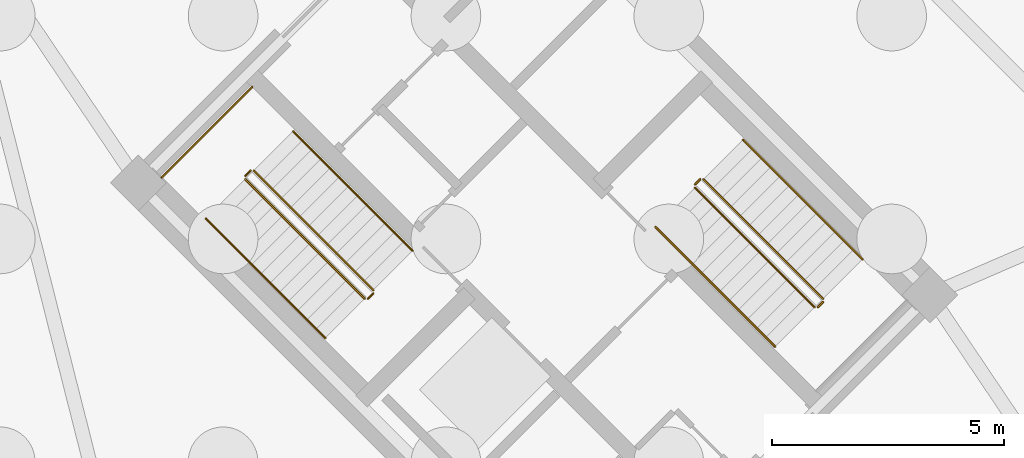
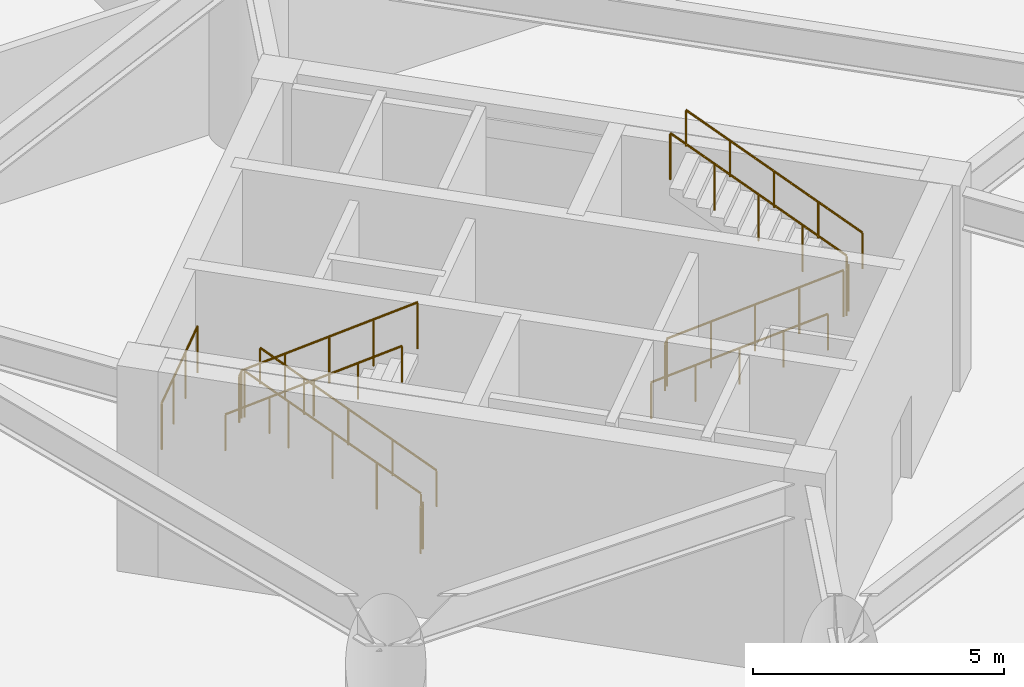
# One storey, part 12 of 15: 13 railings.
"""IFC4 building model written with IfcOpenShell, lengths in metres."""

from ifc_helpers import new_model, si_unit, direction, frame, origin, origin_2d, place, context, subcontext, project, spatial, circle, extrude, material, type_object, element, save


model = new_model("IFC4")

# Units and contexts
model_context = context("Model", 3, precision=1e-05, world=origin(), true_north=direction((0.0, 1.0)))
body_context = subcontext(model_context, "Body", "Model", "MODEL_VIEW")
ifc_project = project(units=[si_unit("LENGTHUNIT", "METRE"), si_unit("AREAUNIT", "SQUARE_METRE"), si_unit("VOLUMEUNIT", "CUBIC_METRE"), si_unit("PLANEANGLEUNIT", "RADIAN"), si_unit("MASSUNIT", "GRAM", prefix="KILO")], contexts=[model_context])

# Site, building, storey
site_placement = place(None, origin())
site = spatial("IfcSite", under=ifc_project, at=site_placement, CompositionType="ELEMENT")
building_placement = place(site_placement, origin())
building = spatial("IfcBuilding", under=site, at=building_placement, Name="Cununo Teusaquillo Station Towers", CompositionType="ELEMENT")
storey_placement = place(building_placement, frame((0.0, 0.0, -10.0)))
storey = spatial("IfcBuildingStorey", under=building, at=storey_placement, Name="B02", CompositionType="ELEMENT", Elevation=-10.0)

# Railings
ifc_material_1 = material(Name="Steel EN 10025-2 S355J2", Category="steel")
railing_type_1 = type_object("IfcRailingType", Name="RL-INT-GUARD", PredefinedType="GUARDRAIL", material=ifc_material_1)
railing_1_placement = place(storey_placement, frame((54.03515625, 23.39697265625, 0.178466796875)))
element("IfcRailing", 1, at=railing_1_placement, inside=storey, type_object=railing_type_1, Name="B02 ST-T2-1 stair guard 1", PredefinedType="GUARDRAIL", context=body_context, shape_type="SweptSolid", body=[
    extrude(circle(Radius=0.02392578125, at=origin_2d()), frame((0.0, 0.0, 1.1259765625), z_axis=(-0.596165694574, 0.596165694574, 0.537748016478), x_axis=(-0.707106781187, -0.707106781187, 0.0)), (0.0, 0.0, 1.0), 4.317138671875),
    extrude(circle(Radius=0.02099609375, at=origin_2d()), origin(), (0.0, 0.0, 1.0), 1.101806640625),
    extrude(circle(Radius=0.02099609375, at=origin_2d()), frame((-0.6435546875, 0.6435546875, 0.580322265625)), (0.0, 0.0, 1.0), 1.101806640625),
    extrude(circle(Radius=0.02099609375, at=origin_2d()), frame((-1.286865234375, 1.286865234375, 1.16064453125)), (0.0, 0.0, 1.0), 1.101806640625),
    extrude(circle(Radius=0.02099609375, at=origin_2d()), frame((-1.93017578125, 1.93017578125, 1.7412109375)), (0.0, 0.0, 1.0), 1.101806640625),
    extrude(circle(Radius=0.02099609375, at=origin_2d()), frame((-2.57373046875, 2.57373046875, 2.321533203125)), (0.0, 0.0, 1.0), 1.101806640625),
])
railing_2_placement = place(storey_placement, frame((51.390625, 25.970703125, 2.5)))
element("IfcRailing", 2, at=railing_2_placement, inside=storey, type_object=railing_type_1, Name="B02 ST-T2-1 stair guard 2", PredefinedType="GUARDRAIL", context=body_context, shape_type="SweptSolid", body=[
    extrude(circle(Radius=0.02392578125, at=origin_2d()), frame((0.0, 0.0, 1.1259765625), z_axis=(-0.707106781187, -0.707106781187, 0.0), x_axis=(0.707106781187, -0.707106781187, 0.0)), (0.0, 0.0, 1.0), 0.159912109375),
    extrude(circle(Radius=0.02099609375, at=origin_2d()), origin(), (0.0, 0.0, 1.0), 1.101806640625),
    extrude(circle(Radius=0.02099609375, at=origin_2d()), frame((-0.113037109375, -0.113037109375, 0.0)), (0.0, 0.0, 1.0), 1.101806640625),
])
railing_3_placement = place(storey_placement, frame((51.426025390625, 27.77392578125, 2.5)))
element("IfcRailing", 3, at=railing_3_placement, inside=storey, type_object=railing_type_1, Name="B02 ST-T2-1 stair guard 3", PredefinedType="GUARDRAIL", context=body_context, shape_type="SweptSolid", body=[
    extrude(circle(Radius=0.02392578125, at=origin_2d()), frame((0.0, 0.0, 1.1259765625), z_axis=(-0.707106781187, -0.707106781187, 0.0), x_axis=(0.707106781187, -0.707106781187, 0.0)), (0.0, 0.0, 1.0), 2.760009765625),
    extrude(circle(Radius=0.02099609375, at=origin_2d()), origin(), (0.0, 0.0, 1.0), 1.101806640625),
    extrude(circle(Radius=0.02099609375, at=origin_2d()), frame((-0.650634765625, -0.650634765625, 0.0)), (0.0, 0.0, 1.0), 1.101806640625),
    extrude(circle(Radius=0.02099609375, at=origin_2d()), frame((-1.301025390625, -1.301025390625, 0.0)), (0.0, 0.0, 1.0), 1.101806640625),
    extrude(circle(Radius=0.02099609375, at=origin_2d()), frame((-1.95166015625, -1.95166015625, 0.0)), (0.0, 0.0, 1.0), 1.101806640625),
])
railing_4_placement = place(storey_placement, frame((51.277587890625, 25.786865234375, 2.678466796875)))
element("IfcRailing", 4, at=railing_4_placement, inside=storey, type_object=railing_type_1, Name="B02 ST-T2-1 stair guard 4", PredefinedType="GUARDRAIL", context=body_context, shape_type="SweptSolid", body=[
    extrude(circle(Radius=0.02392578125, at=origin_2d()), frame((0.0, 0.0, 1.1259765625), z_axis=(0.596165694574, -0.596165694574, 0.537748016478), x_axis=(0.707106781187, 0.707106781187, 0.0)), (0.0, 0.0, 1.0), 4.317138671875),
    extrude(circle(Radius=0.02099609375, at=origin_2d()), origin(), (0.0, 0.0, 1.0), 1.101806640625),
    extrude(circle(Radius=0.02099609375, at=origin_2d()), frame((0.6435546875, -0.6435546875, 0.580322265625)), (0.0, 0.0, 1.0), 1.101806640625),
    extrude(circle(Radius=0.02099609375, at=origin_2d()), frame((1.286865234375, -1.286865234375, 1.16064453125)), (0.0, 0.0, 1.0), 1.101806640625),
    extrude(circle(Radius=0.02099609375, at=origin_2d()), frame((1.93017578125, -1.93017578125, 1.7412109375)), (0.0, 0.0, 1.0), 1.101806640625),
    extrude(circle(Radius=0.02099609375, at=origin_2d()), frame((2.57373046875, -2.57373046875, 2.321533203125)), (0.0, 0.0, 1.0), 1.101806640625),
])
railing_5_placement = place(storey_placement, frame((54.03515625, 23.326171875, 0.0)))
element("IfcRailing", 5, at=railing_5_placement, inside=storey, type_object=railing_type_1, Name="B02 ST-T2-1 stair guard 5", PredefinedType="GUARDRAIL", context=body_context, shape_type="SweptSolid", body=[
    extrude(circle(Radius=0.02392578125, at=origin_2d()), frame((0.0, 0.0, 1.1259765625), z_axis=(-0.707106781187, -0.707106781187, 0.0), x_axis=(0.707106781187, -0.707106781187, 0.0)), (0.0, 0.0, 1.0), 0.159912109375),
    extrude(circle(Radius=0.02099609375, at=origin_2d()), origin(), (0.0, 0.0, 1.0), 1.101806640625),
    extrude(circle(Radius=0.02099609375, at=origin_2d()), frame((-0.113037109375, -0.113037109375, 0.0)), (0.0, 0.0, 1.0), 1.101806640625),
])
railing_6_placement = place(storey_placement, frame((60.96484375, 25.60302734375, 0.178466796875)))
element("IfcRailing", 6, at=railing_6_placement, inside=storey, type_object=railing_type_1, Name="B02 ST-T2-2 stair guard 1", PredefinedType="GUARDRAIL", context=body_context, shape_type="SweptSolid", body=[
    extrude(circle(Radius=0.02392578125, at=origin_2d()), frame((0.0, 0.0, 1.1259765625), z_axis=(0.596165694574, -0.596165694574, 0.537748016478), x_axis=(0.707106781187, 0.707106781187, 0.0)), (0.0, 0.0, 1.0), 4.317138671875),
    extrude(circle(Radius=0.02099609375, at=origin_2d()), origin(), (0.0, 0.0, 1.0), 1.101806640625),
    extrude(circle(Radius=0.02099609375, at=origin_2d()), frame((0.6435546875, -0.6435546875, 0.580322265625)), (0.0, 0.0, 1.0), 1.101806640625),
    extrude(circle(Radius=0.02099609375, at=origin_2d()), frame((1.286865234375, -1.286865234375, 1.16064453125)), (0.0, 0.0, 1.0), 1.101806640625),
    extrude(circle(Radius=0.02099609375, at=origin_2d()), frame((1.93017578125, -1.93017578125, 1.7412109375)), (0.0, 0.0, 1.0), 1.101806640625),
    extrude(circle(Radius=0.02099609375, at=origin_2d()), frame((2.57373046875, -2.57373046875, 2.321533203125)), (0.0, 0.0, 1.0), 1.101806640625),
])
railing_7_placement = place(storey_placement, frame((63.609375, 23.029296875, 2.5)))
element("IfcRailing", 7, at=railing_7_placement, inside=storey, type_object=railing_type_1, Name="B02 ST-T2-2 stair guard 2", PredefinedType="GUARDRAIL", context=body_context, shape_type="SweptSolid", body=[
    extrude(circle(Radius=0.02392578125, at=origin_2d()), frame((0.0, 0.0, 1.1259765625), z_axis=(0.707106781187, 0.707106781187, 0.0), x_axis=(-0.707106781187, 0.707106781187, 0.0)), (0.0, 0.0, 1.0), 0.159912109375),
    extrude(circle(Radius=0.02099609375, at=origin_2d()), origin(), (0.0, 0.0, 1.0), 1.101806640625),
    extrude(circle(Radius=0.02099609375, at=origin_2d()), frame((0.113037109375, 0.113037109375, 0.0)), (0.0, 0.0, 1.0), 1.101806640625),
])
railing_8_placement = place(storey_placement, frame((63.722412109375, 23.213134765625, 2.678466796875)))
element("IfcRailing", 8, at=railing_8_placement, inside=storey, type_object=railing_type_1, Name="B02 ST-T2-2 stair guard 4", PredefinedType="GUARDRAIL", context=body_context, shape_type="SweptSolid", body=[
    extrude(circle(Radius=0.02392578125, at=origin_2d()), frame((0.0, 0.0, 1.1259765625), z_axis=(-0.596165694574, 0.596165694574, 0.537748016478), x_axis=(-0.707106781187, -0.707106781187, 0.0)), (0.0, 0.0, 1.0), 4.317138671875),
    extrude(circle(Radius=0.02099609375, at=origin_2d()), origin(), (0.0, 0.0, 1.0), 1.101806640625),
    extrude(circle(Radius=0.02099609375, at=origin_2d()), frame((-0.6435546875, 0.6435546875, 0.580322265625)), (0.0, 0.0, 1.0), 1.101806640625),
    extrude(circle(Radius=0.02099609375, at=origin_2d()), frame((-1.286865234375, 1.286865234375, 1.16064453125)), (0.0, 0.0, 1.0), 1.101806640625),
    extrude(circle(Radius=0.02099609375, at=origin_2d()), frame((-1.93017578125, 1.93017578125, 1.7412109375)), (0.0, 0.0, 1.0), 1.101806640625),
    extrude(circle(Radius=0.02099609375, at=origin_2d()), frame((-2.57373046875, 2.57373046875, 2.321533203125)), (0.0, 0.0, 1.0), 1.101806640625),
])
railing_9_placement = place(storey_placement, frame((60.96484375, 25.673828125, 0.0)))
element("IfcRailing", 9, at=railing_9_placement, inside=storey, type_object=railing_type_1, Name="B02 ST-T2-2 stair guard 5", PredefinedType="GUARDRAIL", context=body_context, shape_type="SweptSolid", body=[
    extrude(circle(Radius=0.02392578125, at=origin_2d()), frame((0.0, 0.0, 1.1259765625), z_axis=(0.707106781187, 0.707106781187, 0.0), x_axis=(-0.707106781187, 0.707106781187, 0.0)), (0.0, 0.0, 1.0), 0.159912109375),
    extrude(circle(Radius=0.02099609375, at=origin_2d()), origin(), (0.0, 0.0, 1.0), 1.101806640625),
    extrude(circle(Radius=0.02099609375, at=origin_2d()), frame((0.113037109375, 0.113037109375, 0.0)), (0.0, 0.0, 1.0), 1.101806640625),
])
ifc_material_2 = material(Name="Steel EN 10025-2 S355J2", Category="steel")
railing_type_2 = type_object("IfcRailingType", Name="RL-INT-HRAIL", PredefinedType="HANDRAIL", material=ifc_material_2)
railing_10_placement = place(storey_placement, frame((54.8837890625, 24.245361328125, 0.178466796875)))
element("IfcRailing", 10, at=railing_10_placement, inside=storey, type_object=railing_type_2, Name="B02 ST-T2-1 stair handrail 1", PredefinedType="HANDRAIL", context=body_context, shape_type="SweptSolid", body=[
    extrude(circle(Radius=0.02392578125, at=origin_2d()), frame((0.0, 0.0, 0.8759765625), z_axis=(-0.596182046077, 0.596182046077, 0.537711759096), x_axis=(-0.707106781187, -0.707106781187, 0.0)), (0.0, 0.0, 1.0), 4.3173828125),
    extrude(circle(Radius=0.02099609375, at=origin_2d()), origin(), (0.0, 0.0, 1.0), 0.851806640625),
    extrude(circle(Radius=0.02099609375, at=origin_2d()), frame((-0.6435546875, 0.6435546875, 0.580322265625)), (0.0, 0.0, 1.0), 0.851806640625),
    extrude(circle(Radius=0.02099609375, at=origin_2d()), frame((-1.287109375, 1.287109375, 1.16064453125)), (0.0, 0.0, 1.0), 0.851806640625),
    extrude(circle(Radius=0.02099609375, at=origin_2d()), frame((-1.930419921875, 1.930419921875, 1.7412109375)), (0.0, 0.0, 1.0), 0.851806640625),
    extrude(circle(Radius=0.02099609375, at=origin_2d()), frame((-2.573974609375, 2.573974609375, 2.321533203125)), (0.0, 0.0, 1.0), 0.851806640625),
])
for number, where, name in (
    (11, (50.428955078125, 24.9384765625, 2.678466796875), "B02 ST-T2-1 stair handrail 2"),
    (12, (60.1162109375, 24.754638671875, 0.178466796875), "B02 ST-T2-2 stair handrail 1"),
):
    element("IfcRailing", number, at=place(storey_placement, frame(where)), inside=storey, type_object=railing_type_2, Name=name, PredefinedType="HANDRAIL", context=body_context, shape_type="SweptSolid", body=[
        extrude(circle(Radius=0.02392578125, at=origin_2d()), frame((0.0, 0.0, 0.8759765625), z_axis=(0.596182046077, -0.596182046077, 0.537711759096), x_axis=(0.707106781187, 0.707106781187, 0.0)), (0.0, 0.0, 1.0), 4.3173828125),
        extrude(circle(Radius=0.02099609375, at=origin_2d()), origin(), (0.0, 0.0, 1.0), 0.851806640625),
        extrude(circle(Radius=0.02099609375, at=origin_2d()), frame((0.6435546875, -0.6435546875, 0.580322265625)), (0.0, 0.0, 1.0), 0.851806640625),
        extrude(circle(Radius=0.02099609375, at=origin_2d()), frame((1.287109375, -1.287109375, 1.16064453125)), (0.0, 0.0, 1.0), 0.851806640625),
        extrude(circle(Radius=0.02099609375, at=origin_2d()), frame((1.930419921875, -1.930419921875, 1.7412109375)), (0.0, 0.0, 1.0), 0.851806640625),
        extrude(circle(Radius=0.02099609375, at=origin_2d()), frame((2.573974609375, -2.573974609375, 2.321533203125)), (0.0, 0.0, 1.0), 0.851806640625),
    ])
railing_11_placement = place(storey_placement, frame((64.571044921875, 24.0615234375, 2.678466796875)))
element("IfcRailing", 13, at=railing_11_placement, inside=storey, type_object=railing_type_2, Name="B02 ST-T2-2 stair handrail 2", PredefinedType="HANDRAIL", context=body_context, shape_type="SweptSolid", body=[
    extrude(circle(Radius=0.02392578125, at=origin_2d()), frame((0.0, 0.0, 0.8759765625), z_axis=(-0.596182046077, 0.596182046077, 0.537711759096), x_axis=(-0.707106781187, -0.707106781187, 0.0)), (0.0, 0.0, 1.0), 4.3173828125),
    extrude(circle(Radius=0.02099609375, at=origin_2d()), origin(), (0.0, 0.0, 1.0), 0.851806640625),
    extrude(circle(Radius=0.02099609375, at=origin_2d()), frame((-0.6435546875, 0.6435546875, 0.580322265625)), (0.0, 0.0, 1.0), 0.851806640625),
    extrude(circle(Radius=0.02099609375, at=origin_2d()), frame((-1.287109375, 1.287109375, 1.16064453125)), (0.0, 0.0, 1.0), 0.851806640625),
    extrude(circle(Radius=0.02099609375, at=origin_2d()), frame((-1.930419921875, 1.930419921875, 1.7412109375)), (0.0, 0.0, 1.0), 0.851806640625),
    extrude(circle(Radius=0.02099609375, at=origin_2d()), frame((-2.573974609375, 2.573974609375, 2.321533203125)), (0.0, 0.0, 1.0), 0.851806640625),
])

save(model, "model.ifc")
